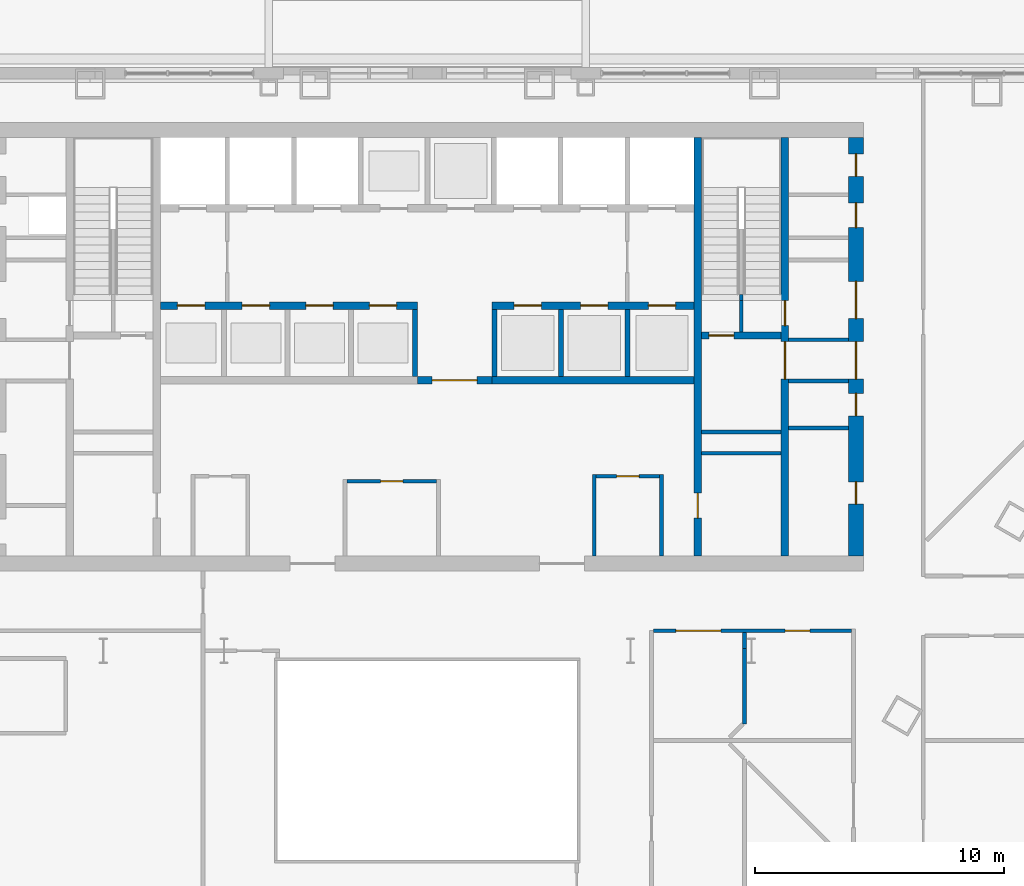
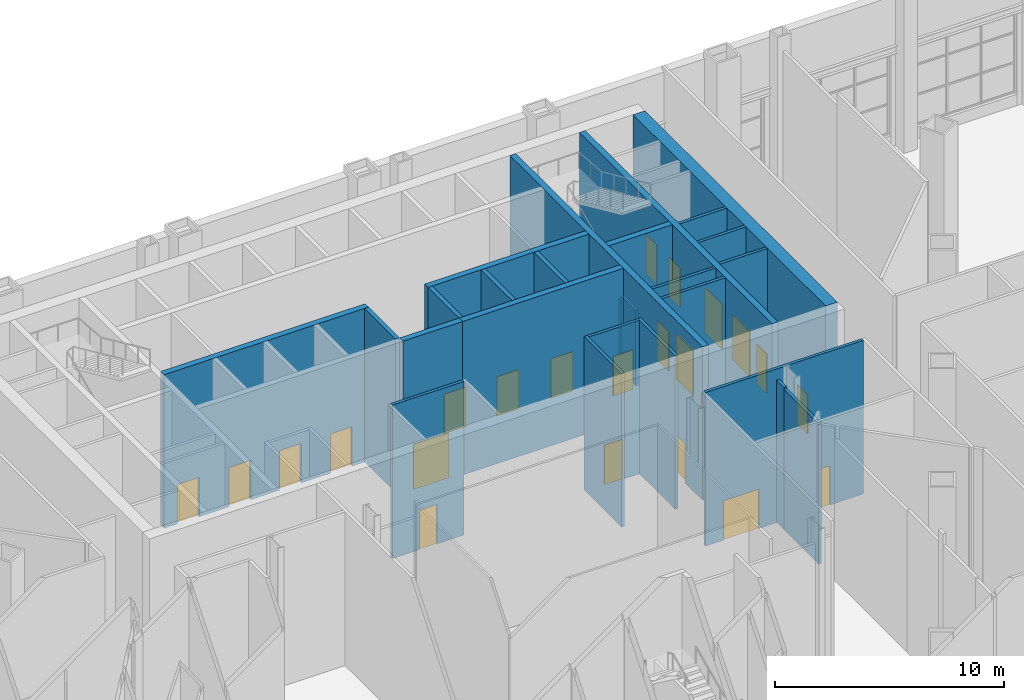
# One storey, part 21 of 34: 26 walls, 22 doors, 22 openings.
"""IFC4 building model written with IfcOpenShell, lengths in metres."""

from ifc_helpers import new_model, si_unit, direction, frame, frame_2d, origin, place, context, subcontext, project, spatial, rectangle, extrude, material, layer, layer_set, type_object, element, fill, save


model = new_model("IFC4")

# Units and contexts
model_context = context("Model", 3, precision=1e-05, world=origin(), true_north=direction((0.0, 1.0)))
body_context = subcontext(model_context, "Body", "Model", "MODEL_VIEW")
ifc_project = project(units=[si_unit("LENGTHUNIT", "METRE"), si_unit("AREAUNIT", "SQUARE_METRE"), si_unit("VOLUMEUNIT", "CUBIC_METRE"), si_unit("PLANEANGLEUNIT", "RADIAN"), si_unit("MASSUNIT", "GRAM", prefix="KILO")], contexts=[model_context])

# Site, building, storey
site_placement = place(None, origin())
site = spatial("IfcSite", under=ifc_project, at=site_placement, CompositionType="ELEMENT")
building_placement = place(site_placement, origin())
building = spatial("IfcBuilding", under=site, at=building_placement, Name="Njiva Tower", CompositionType="ELEMENT")
storey_placement = place(building_placement, origin())
storey = spatial("IfcBuildingStorey", under=building, at=storey_placement, Name="L00", CompositionType="ELEMENT", Elevation=0.0)

# Wall
ifc_material_1 = material(Name="Blockwork", Category="masonry")
ifc_layer_1 = layer(ifc_material_1, 0.15)
ifc_layer_set_1 = layer_set([ifc_layer_1], Name="Blockwork")
wall_type_1 = type_object("IfcWallType", Name="WT1 Compartment partition 150", PredefinedType="PARTITIONING", material=ifc_layer_set_1)
wall_1_placement = place(storey_placement, frame((11.0, 4.725, 0.0), z_axis=(0.0, 0.0, 1.0), x_axis=(1.0, 0.0, 0.0)))
element("IfcWall", 1, at=wall_1_placement, inside=storey, type_object=wall_type_1, Name="Room wall B", PredefinedType="PARTITIONING", context=body_context, shape_type="SweptSolid", body=[
    extrude(rectangle(XDim=3.2, YDim=0.15, at=frame_2d((1.6, 0.0))), origin(), (0.0, 0.0, 1.0), 8.18),
])

# Wall, opening, door
wall_2_placement = place(storey_placement, frame((-3.225, 3.6, 0.0), z_axis=(0.0, 0.0, 1.0), x_axis=(1.0, 0.0, 0.0)))
wall_2 = element("IfcWall", 2, at=wall_2_placement, inside=storey, type_object=wall_type_1, Name="Post room wall north", PredefinedType="PARTITIONING", context=body_context, shape_type="SweptSolid", body=[
    extrude(rectangle(XDim=3.6, YDim=0.15, at=frame_2d((1.8, 0.0))), origin(), (0.0, 0.0, 1.0), 8.18),
])
opening_1_placement = place(wall_2_placement, frame((1.35, 0.0, 0.0)))
opening_1 = element("IfcOpeningElement", 3, at=opening_1_placement, cuts=wall_2, Name="Opening L00-D939", PredefinedType="OPENING", context=body_context, shape_type="SweptSolid", body=[
    extrude(rectangle(XDim=0.9, YDim=2.1, at=frame_2d((0.45, 1.05))), frame((0.0, 0.085, 0.0), z_axis=(0.0, -1.0, 0.0), x_axis=(1.0, 0.0, 0.0)), (0.0, 0.0, 1.0), 0.17),
])
ifc_material_2 = material(Name="Steel fire door, painted", Category="steel")
door_type_1 = type_object("IfcDoorType", Name="D6 Fire-rated door 900x2100", OperationType="SINGLE_SWING_LEFT", PredefinedType="DOOR", material=ifc_material_2)
door_1_placement = place(opening_1_placement, origin())
door_1 = element("IfcDoor", 4, at=door_1_placement, inside=storey, type_object=door_type_1, Name="Post room door", OperationType="SINGLE_SWING_LEFT", OverallHeight=2.1, OverallWidth=0.9, PredefinedType="DOOR", context=body_context, shape_type="SweptSolid", body=[
    extrude(rectangle(XDim=0.9, YDim=2.1, at=frame_2d((0.45, 1.05))), frame((0.0, 0.025, 0.0), z_axis=(0.0, -1.0, 0.0), x_axis=(1.0, 0.0, 0.0)), (0.0, 0.0, 1.0), 0.05),
])
fill(opening_1, door_1)

# Walls
for number, where, z_axis, x_axis, name in (
    (5, (6.7, 0.6, 0.0), (0.0, 0.0, 1.0), (0.0, 1.0, 0.0), "Information office wall west"),
    (6, (9.4, 0.6, 0.0), (0.0, 0.0, 1.0), (0.0, 1.0, 0.0), "Information office wall east"),
):
    element("IfcWall", number, at=place(storey_placement, frame(where, z_axis=z_axis, x_axis=x_axis)), inside=storey, type_object=wall_type_1, Name=name, PredefinedType="PARTITIONING", context=body_context, shape_type="SweptSolid", body=[
        extrude(rectangle(XDim=3.275, YDim=0.15, at=frame_2d((1.6375, 0.0))), origin(), (0.0, 0.0, 1.0), 8.18),
    ])

# Wall, opening, door
wall_3_placement = place(storey_placement, frame((6.775, 3.8, 0.0), z_axis=(0.0, 0.0, 1.0), x_axis=(1.0, 0.0, 0.0)))
wall_3 = element("IfcWall", 7, at=wall_3_placement, inside=storey, type_object=wall_type_1, Name="Information office wall north", PredefinedType="PARTITIONING", context=body_context, shape_type="SweptSolid", body=[
    extrude(rectangle(XDim=2.55, YDim=0.15, at=frame_2d((1.275, 0.0))), origin(), (0.0, 0.0, 1.0), 8.18),
])
opening_2_placement = place(wall_3_placement, frame((0.825, 0.0, 0.0)))
opening_2 = element("IfcOpeningElement", 8, at=opening_2_placement, cuts=wall_3, Name="Opening L00-D940", PredefinedType="OPENING", context=body_context, shape_type="SweptSolid", body=[
    extrude(rectangle(XDim=0.9, YDim=2.1, at=frame_2d((0.45, 1.05))), frame((0.0, 0.085, 0.0), z_axis=(0.0, -1.0, 0.0), x_axis=(1.0, 0.0, 0.0)), (0.0, 0.0, 1.0), 0.17),
])
door_2_placement = place(opening_2_placement, origin())
door_2 = element("IfcDoor", 9, at=door_2_placement, inside=storey, type_object=door_type_1, Name="Information office door", OperationType="SINGLE_SWING_RIGHT", OverallHeight=2.1, OverallWidth=0.9, PredefinedType="DOOR", context=body_context, shape_type="SweptSolid", body=[
    extrude(rectangle(XDim=0.9, YDim=2.1, at=frame_2d((0.45, 1.05))), frame((0.0, 0.025, 0.0), z_axis=(0.0, -1.0, 0.0), x_axis=(1.0, 0.0, 0.0)), (0.0, 0.0, 1.0), 0.05),
])
fill(opening_2, door_2)

ifc_material_3 = material(Name="Concrete C40/50", Category="concrete")
ifc_layer_2 = layer(ifc_material_3, 0.3)
ifc_layer_set_2 = layer_set([ifc_layer_2], Name="Concrete C40/50")
wall_type_2 = type_object("IfcWallType", Name="WT10 Stair enclosure wall 300", PredefinedType="SHEAR", material=ifc_layer_set_2)
wall_4_placement = place(storey_placement, frame((10.85, 0.6, 0.0), z_axis=(0.0, 0.0, 1.0), x_axis=(0.0, 1.0, 0.0)))
wall_4 = element("IfcWall", 10, at=wall_4_placement, inside=storey, type_object=wall_type_2, Name="Stair wall east inner", PredefinedType="SHEAR", context=body_context, shape_type="SweptSolid", body=[
    extrude(rectangle(XDim=16.8, YDim=0.3, at=frame_2d((8.4, 0.0))), origin(), (0.0, 0.0, 1.0), 8.18),
])
opening_3_placement = place(wall_4_placement, frame((1.525, 0.0, 0.0)))
opening_3 = element("IfcOpeningElement", 11, at=opening_3_placement, cuts=wall_4, Name="Opening L00-D923", PredefinedType="OPENING", context=body_context, shape_type="SweptSolid", body=[
    extrude(rectangle(XDim=1.0, YDim=2.1, at=frame_2d((0.5, 1.05))), frame((0.0, 0.16, 0.0), z_axis=(0.0, -1.0, 0.0), x_axis=(1.0, 0.0, 0.0)), (0.0, 0.0, 1.0), 0.32),
])
ifc_material_4 = material(Name="Steel door, painted", Category="steel")
door_type_2 = type_object("IfcDoorType", Name="D5 Steel door 1000x2100", OperationType="SINGLE_SWING_LEFT", PredefinedType="DOOR", material=ifc_material_4)
door_3_placement = place(opening_3_placement, origin())
door_3 = element("IfcDoor", 12, at=door_3_placement, inside=storey, type_object=door_type_2, Name="Security control room door", OperationType="SINGLE_SWING_LEFT", OverallHeight=2.1, OverallWidth=1.0, PredefinedType="DOOR", context=body_context, shape_type="SweptSolid", body=[
    extrude(rectangle(XDim=1.0, YDim=2.1, at=frame_2d((0.5, 1.05))), frame((0.0, 0.025, 0.0), z_axis=(0.0, -1.0, 0.0), x_axis=(1.0, 0.0, 0.0)), (0.0, 0.0, 1.0), 0.05),
])
fill(opening_3, door_3)

# Wall, openings, doors
wall_5_placement = place(storey_placement, frame((14.35, 0.6, 0.0), z_axis=(0.0, 0.0, 1.0), x_axis=(0.0, 1.0, 0.0)))
wall_5 = element("IfcWall", 13, at=wall_5_placement, inside=storey, type_object=wall_type_2, Name="Stair wall east outer", PredefinedType="SHEAR", context=body_context, shape_type="SweptSolid", body=[
    extrude(rectangle(XDim=16.8, YDim=0.3, at=frame_2d((8.4, 0.0))), origin(), (0.0, 0.0, 1.0), 8.18),
])
opening_4_placement = place(wall_5_placement, frame((9.25, 0.0, 0.0)))
opening_4 = element("IfcOpeningElement", 14, at=opening_4_placement, cuts=wall_5, Name="Opening L00-D922", PredefinedType="OPENING", context=body_context, shape_type="SweptSolid", body=[
    extrude(rectangle(XDim=1.0, YDim=2.1, at=frame_2d((0.5, 1.05))), frame((0.0, 0.16, 0.0), z_axis=(0.0, -1.0, 0.0), x_axis=(1.0, 0.0, 0.0)), (0.0, 0.0, 1.0), 0.32),
])
opening_5_placement = place(wall_5_placement, frame((7.1, 0.0, 0.0)))
opening_5 = element("IfcOpeningElement", 15, at=opening_5_placement, cuts=wall_5, Name="Opening L00-D931", PredefinedType="OPENING", context=body_context, shape_type="SweptSolid", body=[
    extrude(rectangle(XDim=1.5, YDim=2.4, at=frame_2d((0.75, 1.2))), frame((0.0, 0.16, 0.0), z_axis=(0.0, -1.0, 0.0), x_axis=(1.0, 0.0, 0.0)), (0.0, 0.0, 1.0), 0.32),
])
ifc_material_5 = material(Name="Glazed steel fire door", Category="steel")
door_type_3 = type_object("IfcDoorType", Name="D16 Exit door double 1500x2400 glazed", OperationType="DOUBLE_DOOR_SINGLE_SWING", PredefinedType="DOOR", material=ifc_material_5)
door_4_placement = place(opening_5_placement, origin())
door_4 = element("IfcDoor", 16, at=door_4_placement, inside=storey, type_object=door_type_3, Name="Stair B passage door", OperationType="DOUBLE_DOOR_SINGLE_SWING", OverallHeight=2.4, OverallWidth=1.5, PredefinedType="DOOR", context=body_context, shape_type="SweptSolid", body=[
    extrude(rectangle(XDim=1.5, YDim=2.4, at=frame_2d((0.75, 1.2))), frame((0.0, 0.025, 0.0), z_axis=(0.0, -1.0, 0.0), x_axis=(1.0, 0.0, 0.0)), (0.0, 0.0, 1.0), 0.05),
])
fill(opening_5, door_4)
door_type_4 = type_object("IfcDoorType", Name="D9 Stair vestibule door 1000x2100 glazed", OperationType="SINGLE_SWING_LEFT", PredefinedType="DOOR", material=ifc_material_5)
door_5_placement = place(opening_4_placement, origin())
door_5 = element("IfcDoor", 17, at=door_5_placement, inside=storey, type_object=door_type_4, Name="Stair B door", OperationType="SINGLE_SWING_RIGHT", OverallHeight=2.1, OverallWidth=1.0, PredefinedType="DOOR", context=body_context, shape_type="SweptSolid", body=[
    extrude(rectangle(XDim=1.0, YDim=2.1, at=frame_2d((0.5, 1.05))), frame((0.0, 0.025, 0.0), z_axis=(0.0, -1.0, 0.0), x_axis=(1.0, 0.0, 0.0)), (0.0, 0.0, 1.0), 0.05),
])
fill(opening_4, door_5)

# Wall, opening, door
wall_6_placement = place(storey_placement, frame((11.0, 9.45, 0.0), z_axis=(0.0, 0.0, 1.0), x_axis=(1.0, 0.0, 0.0)))
wall_6 = element("IfcWall", 18, at=wall_6_placement, inside=storey, type_object=wall_type_2, Name="Stair B south wall", PredefinedType="SHEAR", context=body_context, shape_type="SweptSolid", body=[
    extrude(rectangle(XDim=3.2, YDim=0.3, at=frame_2d((1.6, 0.0))), origin(), (0.0, 0.0, 1.0), 8.18),
])
opening_6_placement = place(wall_6_placement, frame((0.3, 0.0, 0.0)))
opening_6 = element("IfcOpeningElement", 19, at=opening_6_placement, cuts=wall_6, Name="Opening L00-D921", PredefinedType="OPENING", context=body_context, shape_type="SweptSolid", body=[
    extrude(rectangle(XDim=1.0, YDim=2.1, at=frame_2d((0.5, 1.05))), frame((0.0, 0.16, 0.0), z_axis=(0.0, -1.0, 0.0), x_axis=(1.0, 0.0, 0.0)), (0.0, 0.0, 1.0), 0.32),
])
door_6_placement = place(opening_6_placement, origin())
door_6 = element("IfcDoor", 20, at=door_6_placement, inside=storey, type_object=door_type_4, Name="Stair B door", OperationType="SINGLE_SWING_RIGHT", OverallHeight=2.1, OverallWidth=1.0, PredefinedType="DOOR", context=body_context, shape_type="SweptSolid", body=[
    extrude(rectangle(XDim=1.0, YDim=2.1, at=frame_2d((0.5, 1.05))), frame((0.0, 0.025, 0.0), z_axis=(0.0, -1.0, 0.0), x_axis=(1.0, 0.0, 0.0)), (0.0, 0.0, 1.0), 0.05),
])
fill(opening_6, door_6)

# Wall, openings, doors
ifc_material_6 = material(Name="Concrete C60/75", Category="concrete")
ifc_layer_3 = layer(ifc_material_6, 0.6)
ifc_layer_set_3 = layer_set([ifc_layer_3], Name="Concrete C60/75")
wall_type_3 = type_object("IfcWallType", Name="WT15 Core wall 600", PredefinedType="SHEAR", material=ifc_layer_set_3)
wall_7_placement = place(storey_placement, frame((17.2, 0.6, 0.0), z_axis=(0.0, 0.0, 1.0), x_axis=(0.0, 1.0, 0.0)))
wall_7 = element("IfcWall", 21, at=wall_7_placement, inside=storey, type_object=wall_type_3, Name="Core wall east", PredefinedType="SHEAR", context=body_context, shape_type="SweptSolid", body=[
    extrude(rectangle(XDim=16.8, YDim=0.6, at=frame_2d((8.4, 0.0))), origin(), (0.0, 0.0, 1.0), 8.18),
])
opening_7_placement = place(wall_7_placement, frame((7.1, 0.0, 0.0)))
opening_7 = element("IfcOpeningElement", 22, at=opening_7_placement, cuts=wall_7, Name="Opening L00-D932", PredefinedType="OPENING", context=body_context, shape_type="SweptSolid", body=[
    extrude(rectangle(XDim=1.5, YDim=2.4, at=frame_2d((0.75, 1.2))), frame((0.0, 0.31, 0.0), z_axis=(0.0, -1.0, 0.0), x_axis=(1.0, 0.0, 0.0)), (0.0, 0.0, 1.0), 0.62),
])
opening_8_placement = place(wall_7_placement, frame((9.525, 0.0, 0.0)))
opening_8 = element("IfcOpeningElement", 23, at=opening_8_placement, cuts=wall_7, Name="Opening L00-D933", PredefinedType="OPENING", context=body_context, shape_type="SweptSolid", body=[
    extrude(rectangle(XDim=1.5, YDim=2.4, at=frame_2d((0.75, 1.2))), frame((0.0, 0.31, 0.0), z_axis=(0.0, -1.0, 0.0), x_axis=(1.0, 0.0, 0.0)), (0.0, 0.0, 1.0), 0.62),
])
opening_9_placement = place(wall_7_placement, frame((2.0799, 0.0, 0.0)))
opening_9 = element("IfcOpeningElement", 24, at=opening_9_placement, cuts=wall_7, Name="Opening L00-D934", PredefinedType="OPENING", context=body_context, shape_type="SweptSolid", body=[
    extrude(rectangle(XDim=0.9, YDim=2.1, at=frame_2d((0.45, 1.05))), frame((0.0, 0.31, 0.0), z_axis=(0.0, -1.0, 0.0), x_axis=(1.0, 0.0, 0.0)), (0.0, 0.0, 1.0), 0.62),
])
opening_10_placement = place(wall_7_placement, frame((5.6299, 0.0, 0.0)))
opening_10 = element("IfcOpeningElement", 25, at=opening_10_placement, cuts=wall_7, Name="Opening L00-D935", PredefinedType="OPENING", context=body_context, shape_type="SweptSolid", body=[
    extrude(rectangle(XDim=0.9, YDim=2.1, at=frame_2d((0.45, 1.05))), frame((0.0, 0.31, 0.0), z_axis=(0.0, -1.0, 0.0), x_axis=(1.0, 0.0, 0.0)), (0.0, 0.0, 1.0), 0.62),
])
opening_11_placement = place(wall_7_placement, frame((13.175, 0.0, 0.0)))
opening_11 = element("IfcOpeningElement", 26, at=opening_11_placement, cuts=wall_7, Name="Opening L00-D936", PredefinedType="OPENING", context=body_context, shape_type="SweptSolid", body=[
    extrude(rectangle(XDim=1.0, YDim=2.1, at=frame_2d((0.5, 1.05))), frame((0.0, 0.31, 0.0), z_axis=(0.0, -1.0, 0.0), x_axis=(1.0, 0.0, 0.0)), (0.0, 0.0, 1.0), 0.62),
])
opening_12_placement = place(wall_7_placement, frame((15.2375, 0.0, 0.0)))
opening_12 = element("IfcOpeningElement", 27, at=opening_12_placement, cuts=wall_7, Name="Opening L00-D937", PredefinedType="OPENING", context=body_context, shape_type="SweptSolid", body=[
    extrude(rectangle(XDim=0.9, YDim=2.1, at=frame_2d((0.45, 1.05))), frame((0.0, 0.31, 0.0), z_axis=(0.0, -1.0, 0.0), x_axis=(1.0, 0.0, 0.0)), (0.0, 0.0, 1.0), 0.62),
])
door_7_placement = place(opening_7_placement, origin())
door_7 = element("IfcDoor", 28, at=door_7_placement, inside=storey, type_object=door_type_3, Name="Stair B corridor door", OperationType="DOUBLE_DOOR_SINGLE_SWING", OverallHeight=2.4, OverallWidth=1.5, PredefinedType="DOOR", context=body_context, shape_type="SweptSolid", body=[
    extrude(rectangle(XDim=1.5, YDim=2.4, at=frame_2d((0.75, 1.2))), frame((0.0, 0.025, 0.0), z_axis=(0.0, -1.0, 0.0), x_axis=(1.0, 0.0, 0.0)), (0.0, 0.0, 1.0), 0.05),
])
fill(opening_7, door_7)
door_8_placement = place(opening_8_placement, origin())
door_8 = element("IfcDoor", 29, at=door_8_placement, inside=storey, type_object=door_type_3, Name="Stair B corridor door", OperationType="DOUBLE_DOOR_SINGLE_SWING", OverallHeight=2.4, OverallWidth=1.5, PredefinedType="DOOR", context=body_context, shape_type="SweptSolid", body=[
    extrude(rectangle(XDim=1.5, YDim=2.4, at=frame_2d((0.75, 1.2))), frame((0.0, 0.025, 0.0), z_axis=(0.0, -1.0, 0.0), x_axis=(1.0, 0.0, 0.0)), (0.0, 0.0, 1.0), 0.05),
])
fill(opening_8, door_8)
door_type_5 = type_object("IfcDoorType", Name="D4 Riser door 900x2100", OperationType="SINGLE_SWING_LEFT", PredefinedType="DOOR", material=ifc_material_4)
door_9_placement = place(opening_10_placement, origin())
door_9 = element("IfcDoor", 30, at=door_9_placement, inside=storey, type_object=door_type_5, Name="Riser door", OperationType="SINGLE_SWING_LEFT", OverallHeight=2.1, OverallWidth=0.9, PredefinedType="DOOR", context=body_context, shape_type="SweptSolid", body=[
    extrude(rectangle(XDim=0.9, YDim=2.1, at=frame_2d((0.45, 1.05))), frame((0.0, 0.025, 0.0), z_axis=(0.0, -1.0, 0.0), x_axis=(1.0, 0.0, 0.0)), (0.0, 0.0, 1.0), 0.05),
])
fill(opening_10, door_9)
door_10_placement = place(opening_11_placement, origin())
door_10 = element("IfcDoor", 31, at=door_10_placement, inside=storey, type_object=door_type_2, Name="Telecoms room door", OperationType="SINGLE_SWING_LEFT", OverallHeight=2.1, OverallWidth=1.0, PredefinedType="DOOR", context=body_context, shape_type="SweptSolid", body=[
    extrude(rectangle(XDim=1.0, YDim=2.1, at=frame_2d((0.5, 1.05))), frame((0.0, 0.025, 0.0), z_axis=(0.0, -1.0, 0.0), x_axis=(1.0, 0.0, 0.0)), (0.0, 0.0, 1.0), 0.05),
])
fill(opening_11, door_10)
door_11_placement = place(opening_9_placement, origin())
door_11 = element("IfcDoor", 32, at=door_11_placement, inside=storey, type_object=door_type_1, Name="Reading room door", OperationType="SINGLE_SWING_RIGHT", OverallHeight=2.1, OverallWidth=0.9, PredefinedType="DOOR", context=body_context, shape_type="SweptSolid", body=[
    extrude(rectangle(XDim=0.9, YDim=2.1, at=frame_2d((0.45, 1.05))), frame((0.0, 0.025, 0.0), z_axis=(0.0, -1.0, 0.0), x_axis=(1.0, 0.0, 0.0)), (0.0, 0.0, 1.0), 0.05),
])
fill(opening_9, door_11)
door_12_placement = place(opening_12_placement, origin())
door_12 = element("IfcDoor", 33, at=door_12_placement, inside=storey, type_object=door_type_1, Name="Cable store door", OperationType="SINGLE_SWING_LEFT", OverallHeight=2.1, OverallWidth=0.9, PredefinedType="DOOR", context=body_context, shape_type="SweptSolid", body=[
    extrude(rectangle(XDim=0.9, YDim=2.1, at=frame_2d((0.45, 1.05))), frame((0.0, 0.025, 0.0), z_axis=(0.0, -1.0, 0.0), x_axis=(1.0, 0.0, 0.0)), (0.0, 0.0, 1.0), 0.05),
])
fill(opening_12, door_12)

ifc_material_7 = material(Name="Gypsum board on steel studs", Category="gypsum")
ifc_layer_4 = layer(ifc_material_7, 0.15)
ifc_layer_set_4 = layer_set([ifc_layer_4], Name="Gypsum board on steel studs")
wall_type_4 = type_object("IfcWallType", Name="WT21 Compartment wall 150", PredefinedType="PARTITIONING", material=ifc_layer_set_4)
wall_8_placement = place(storey_placement, frame((9.075, -2.4, 0.0), z_axis=(0.0, 0.0, 1.0), x_axis=(1.0, 0.0, 0.0)))
wall_8 = element("IfcWall", 34, at=wall_8_placement, inside=storey, type_object=wall_type_4, Name="Partition L00-P055", PredefinedType="PARTITIONING", context=body_context, shape_type="SweptSolid", body=[
    extrude(rectangle(XDim=7.95, YDim=0.15, at=frame_2d((3.975, 0.0))), origin(), (0.0, 0.0, 1.0), 8.18),
])
opening_13_placement = place(wall_8_placement, frame((0.904, 0.0, 0.0)))
opening_13 = element("IfcOpeningElement", 35, at=opening_13_placement, cuts=wall_8, Name="Opening L00-D020", PredefinedType="OPENING", context=body_context, shape_type="SweptSolid", body=[
    extrude(rectangle(XDim=1.8, YDim=2.1, at=frame_2d((0.9, 1.05))), frame((0.0, 0.085, 0.0), z_axis=(0.0, -1.0, 0.0), x_axis=(1.0, 0.0, 0.0)), (0.0, 0.0, 1.0), 0.17),
])
opening_14_placement = place(wall_8_placement, frame((5.279, 0.0, 0.0)))
opening_14 = element("IfcOpeningElement", 36, at=opening_14_placement, cuts=wall_8, Name="Opening L00-D021", PredefinedType="OPENING", context=body_context, shape_type="SweptSolid", body=[
    extrude(rectangle(XDim=1.0, YDim=2.1, at=frame_2d((0.5, 1.05))), frame((0.0, 0.085, 0.0), z_axis=(0.0, -1.0, 0.0), x_axis=(1.0, 0.0, 0.0)), (0.0, 0.0, 1.0), 0.17),
])
ifc_material_8 = material(Name="Steel fire door set", Category="steel")
door_type_6 = type_object("IfcDoorType", Name="D37 Fire door 1000x2100", OperationType="SINGLE_SWING_LEFT", PredefinedType="DOOR", material=ifc_material_8)
door_13_placement = place(opening_14_placement, origin())
door_13 = element("IfcDoor", 37, at=door_13_placement, inside=storey, type_object=door_type_6, Name="Door L00-D021", OperationType="SINGLE_SWING_RIGHT", OverallHeight=2.1, OverallWidth=1.0, PredefinedType="DOOR", context=body_context, shape_type="SweptSolid", body=[
    extrude(rectangle(XDim=1.0, YDim=2.1, at=frame_2d((0.5, 1.05))), frame((0.0, 0.025, 0.0), z_axis=(0.0, -1.0, 0.0), x_axis=(1.0, 0.0, 0.0)), (0.0, 0.0, 1.0), 0.05),
])
fill(opening_14, door_13)
door_type_7 = type_object("IfcDoorType", Name="D38 Fire door 1800x2100", OperationType="DOUBLE_DOOR_SINGLE_SWING", PredefinedType="DOOR", material=ifc_material_8)
door_14_placement = place(opening_13_placement, origin())
door_14 = element("IfcDoor", 38, at=door_14_placement, inside=storey, type_object=door_type_7, Name="Door L00-D020", OperationType="DOUBLE_DOOR_SINGLE_SWING", OverallHeight=2.1, OverallWidth=1.8, PredefinedType="DOOR", context=body_context, shape_type="SweptSolid", body=[
    extrude(rectangle(XDim=1.8, YDim=2.1, at=frame_2d((0.9, 1.05))), frame((0.0, 0.025, 0.0), z_axis=(0.0, -1.0, 0.0), x_axis=(1.0, 0.0, 0.0)), (0.0, 0.0, 1.0), 0.05),
])
fill(opening_13, door_14)

# Walls
wall_9_placement = place(storey_placement, frame((12.733, -6.142, 0.0), z_axis=(0.0, 0.0, 1.0), x_axis=(0.0, 1.0, 0.0)))
element("IfcWall", 39, at=wall_9_placement, inside=storey, type_object=wall_type_4, Name="Partition L00-P059", PredefinedType="PARTITIONING", context=body_context, shape_type="SweptSolid", body=[
    extrude(rectangle(XDim=3.042, YDim=0.15, at=frame_2d((1.521, 0.0))), origin(), (0.0, 0.0, 1.0), 7.49),
])
wall_10_placement = place(storey_placement, frame((12.733, -3.1, 0.0), z_axis=(0.0, 0.0, 1.0), x_axis=(0.0, 1.0, 0.0)))
element("IfcWall", 40, at=wall_10_placement, inside=storey, type_object=wall_type_4, Name="Partition L00-P059A", PredefinedType="PARTITIONING", context=body_context, shape_type="SweptSolid", body=[
    extrude(rectangle(XDim=0.625, YDim=0.15, at=frame_2d((0.3125, 0.0))), origin(), (0.0, 0.0, 1.0), 7.58),
])
ifc_layer_5 = layer(ifc_material_1, 0.15)
ifc_layer_set_5 = layer_set([ifc_layer_5], Name="Blockwork")
wall_type_5 = type_object("IfcWallType", Name="WT3 Riser partition 150", PredefinedType="PARTITIONING", material=ifc_layer_set_5)
wall_11_placement = place(storey_placement, frame((14.5, 5.7348, 0.0), z_axis=(0.0, 0.0, 1.0), x_axis=(1.0, 0.0, 0.0)))
element("IfcWall", 41, at=wall_11_placement, inside=storey, type_object=wall_type_5, Name="Partition strip E00", PredefinedType="PARTITIONING", context=body_context, shape_type="SweptSolid", body=[
    extrude(rectangle(XDim=2.4, YDim=0.15, at=frame_2d((1.2, 0.0))), origin(), (0.0, 0.0, 1.0), 8.18),
])
ifc_layer_6 = layer(ifc_material_1, 0.15)
ifc_layer_set_6 = layer_set([ifc_layer_6], Name="Blockwork")
wall_type_6 = type_object("IfcWallType", Name="WT4 Stair partition 150", PredefinedType="PARTITIONING", material=ifc_layer_set_6)
wall_12_placement = place(storey_placement, frame((12.6, 9.6, 0.0), z_axis=(0.0, 0.0, 1.0), x_axis=(0.0, 1.0, 0.0)))
element("IfcWall", 42, at=wall_12_placement, inside=storey, type_object=wall_type_6, Name="Stair B dividing wall", PredefinedType="PARTITIONING", context=body_context, shape_type="SweptSolid", body=[
    extrude(rectangle(XDim=1.26, YDim=0.15, at=frame_2d((0.63, 0.0))), origin(), (0.0, 0.0, 1.0), 4.0),
])
wall_13_placement = place(storey_placement, frame((12.6, 10.86, 0.0), z_axis=(0.0, 0.0, 1.0), x_axis=(0.0, 1.0, 0.0)))
element("IfcWall", 43, at=wall_13_placement, inside=storey, type_object=wall_type_6, Name="Stair B dividing wall", PredefinedType="PARTITIONING", context=body_context, shape_type="SweptSolid", body=[
    extrude(rectangle(XDim=0.24, YDim=0.15, at=frame_2d((0.12, 0.0))), origin(), (0.0, 0.0, 1.0), 3.77),
])
wall_14_placement = place(storey_placement, frame((11.0, 5.575, 0.0), z_axis=(0.0, 0.0, 1.0), x_axis=(1.0, 0.0, 0.0)))
element("IfcWall", 44, at=wall_14_placement, inside=storey, type_object=wall_type_6, Name="Stair B upper pressurisation shaft wall", PredefinedType="PARTITIONING", context=body_context, shape_type="SweptSolid", body=[
    extrude(rectangle(XDim=3.2, YDim=0.15, at=frame_2d((1.6, 0.0))), origin(), (0.0, 0.0, 1.0), 8.18),
])
for number, where, z_axis, x_axis, name in (
    (45, (14.5, 7.625, 0.0), (0.0, 0.0, 1.0), (1.0, 0.0, 0.0), "Stair B exit passage wall south"),
    (46, (14.5, 9.275, 0.0), (0.0, 0.0, 1.0), (1.0, 0.0, 0.0), "Stair B basement vestibule wall south"),
):
    element("IfcWall", number, at=place(storey_placement, frame(where, z_axis=z_axis, x_axis=x_axis)), inside=storey, type_object=wall_type_6, Name=name, PredefinedType="PARTITIONING", context=body_context, shape_type="SweptSolid", body=[
        extrude(rectangle(XDim=2.4, YDim=0.15, at=frame_2d((1.2, 0.0))), origin(), (0.0, 0.0, 1.0), 8.18),
    ])

# Wall, opening, door
ifc_layer_7 = layer(ifc_material_1, 0.3)
ifc_layer_set_7 = layer_set([ifc_layer_7], Name="Blockwork")
wall_type_7 = type_object("IfcWallType", Name="WT5 Lobby partition 300", PredefinedType="PARTITIONING", material=ifc_layer_set_7)
wall_15_placement = place(storey_placement, frame((-0.4, 7.65, 0.0), z_axis=(0.0, 0.0, 1.0), x_axis=(1.0, 0.0, 0.0)))
wall_15 = element("IfcWall", 47, at=wall_15_placement, inside=storey, type_object=wall_type_7, Name="Lift lobby screen wall", PredefinedType="PARTITIONING", context=body_context, shape_type="SweptSolid", body=[
    extrude(rectangle(XDim=3.0, YDim=0.3, at=frame_2d((1.5, 0.0))), origin(), (0.0, 0.0, 1.0), 8.18),
])
opening_15_placement = place(wall_15_placement, frame((0.6, 0.0, 0.0)))
opening_15 = element("IfcOpeningElement", 48, at=opening_15_placement, cuts=wall_15, Name="Opening L00-D941", PredefinedType="OPENING", context=body_context, shape_type="SweptSolid", body=[
    extrude(rectangle(XDim=1.8, YDim=2.4, at=frame_2d((0.9, 1.2))), frame((0.0, 0.16, 0.0), z_axis=(0.0, -1.0, 0.0), x_axis=(1.0, 0.0, 0.0)), (0.0, 0.0, 1.0), 0.32),
])
ifc_material_9 = material(Name="Steel and glass door", Category="steel")
door_type_8 = type_object("IfcDoorType", Name="D3 Core entrance door 1800x2400", OperationType="DOUBLE_DOOR_SINGLE_SWING", PredefinedType="DOOR", material=ifc_material_9)
door_15_placement = place(opening_15_placement, origin())
door_15 = element("IfcDoor", 49, at=door_15_placement, inside=storey, type_object=door_type_8, Name="Core entrance door", OperationType="DOUBLE_DOOR_SINGLE_SWING", OverallHeight=2.4, OverallWidth=1.8, PredefinedType="DOOR", context=body_context, shape_type="SweptSolid", body=[
    extrude(rectangle(XDim=1.8, YDim=2.4, at=frame_2d((0.9, 1.2))), frame((0.0, 0.025, 0.0), z_axis=(0.0, -1.0, 0.0), x_axis=(1.0, 0.0, 0.0)), (0.0, 0.0, 1.0), 0.05),
])
fill(opening_15, door_15)

# Walls
ifc_layer_8 = layer(ifc_material_3, 0.2)
ifc_layer_set_8 = layer_set([ifc_layer_8], Name="Concrete C40/50")
wall_type_8 = type_object("IfcWallType", Name="WT6 Lift shaft wall 200", PredefinedType="SHEAR", material=ifc_layer_set_8)
for number, where, z_axis, x_axis, name in (
    (50, (-0.5, 7.8, 0.0), (0.0, 0.0, 1.0), (0.0, 1.0, 0.0), "Shaft wall CS4"),
    (51, (2.7, 7.8, 0.0), (0.0, 0.0, 1.0), (0.0, 1.0, 0.0), "Shaft wall CS5"),
    (52, (5.3667, 7.8, 0.0), (0.0, 0.0, 1.0), (0.0, 1.0, 0.0), "Shaft wall CS6"),
    (53, (8.0333, 7.8, 0.0), (0.0, 0.0, 1.0), (0.0, 1.0, 0.0), "Shaft wall CS7"),
):
    element("IfcWall", number, at=place(storey_placement, frame(where, z_axis=z_axis, x_axis=x_axis)), inside=storey, type_object=wall_type_8, Name=name, PredefinedType="SHEAR", context=body_context, shape_type="SweptSolid", body=[
        extrude(rectangle(XDim=2.7, YDim=0.2, at=frame_2d((1.35, 0.0))), origin(), (0.0, 0.0, 1.0), 8.18),
    ])

# Wall, openings, doors
ifc_layer_9 = layer(ifc_material_3, 0.3)
ifc_layer_set_9 = layer_set([ifc_layer_9], Name="Concrete C40/50")
wall_type_9 = type_object("IfcWallType", Name="WT7 Lift shaft wall 300", PredefinedType="SHEAR", material=ifc_layer_set_9)
wall_16_placement = place(storey_placement, frame((-10.7, 10.65, 0.0), z_axis=(0.0, 0.0, 1.0), x_axis=(1.0, 0.0, 0.0)))
wall_16 = element("IfcWall", 54, at=wall_16_placement, inside=storey, type_object=wall_type_9, Name="Shaft wall south row lobby side W", PredefinedType="SHEAR", context=body_context, shape_type="SweptSolid", body=[
    extrude(rectangle(XDim=10.3, YDim=0.3, at=frame_2d((5.15, 0.0))), origin(), (0.0, 0.0, 1.0), 8.18),
])
opening_16_placement = place(wall_16_placement, frame((0.675, 0.0, 0.0)))
opening_16 = element("IfcOpeningElement", 55, at=opening_16_placement, cuts=wall_16, Name="Opening L00-D909", PredefinedType="OPENING", context=body_context, shape_type="SweptSolid", body=[
    extrude(rectangle(XDim=1.1, YDim=2.1, at=frame_2d((0.55, 1.05))), frame((0.0, 0.16, 0.0), z_axis=(0.0, -1.0, 0.0), x_axis=(1.0, 0.0, 0.0)), (0.0, 0.0, 1.0), 0.32),
])
opening_17_placement = place(wall_16_placement, frame((3.275, 0.0, 0.0)))
opening_17 = element("IfcOpeningElement", 56, at=opening_17_placement, cuts=wall_16, Name="Opening L00-D910", PredefinedType="OPENING", context=body_context, shape_type="SweptSolid", body=[
    extrude(rectangle(XDim=1.1, YDim=2.1, at=frame_2d((0.55, 1.05))), frame((0.0, 0.16, 0.0), z_axis=(0.0, -1.0, 0.0), x_axis=(1.0, 0.0, 0.0)), (0.0, 0.0, 1.0), 0.32),
])
opening_18_placement = place(wall_16_placement, frame((5.825, 0.0, 0.0)))
opening_18 = element("IfcOpeningElement", 57, at=opening_18_placement, cuts=wall_16, Name="Opening L00-D911", PredefinedType="OPENING", context=body_context, shape_type="SweptSolid", body=[
    extrude(rectangle(XDim=1.1, YDim=2.1, at=frame_2d((0.55, 1.05))), frame((0.0, 0.16, 0.0), z_axis=(0.0, -1.0, 0.0), x_axis=(1.0, 0.0, 0.0)), (0.0, 0.0, 1.0), 0.32),
])
opening_19_placement = place(wall_16_placement, frame((8.375, 0.0, 0.0)))
opening_19 = element("IfcOpeningElement", 58, at=opening_19_placement, cuts=wall_16, Name="Opening L00-D912", PredefinedType="OPENING", context=body_context, shape_type="SweptSolid", body=[
    extrude(rectangle(XDim=1.1, YDim=2.1, at=frame_2d((0.55, 1.05))), frame((0.0, 0.16, 0.0), z_axis=(0.0, -1.0, 0.0), x_axis=(1.0, 0.0, 0.0)), (0.0, 0.0, 1.0), 0.32),
])
ifc_material_10 = material(Name="Stainless steel sliding door", Category="steel")
door_type_9 = type_object("IfcDoorType", Name="LD Lift landing door 1100x2100", OperationType="SLIDING_TO_LEFT", PredefinedType="DOOR", material=ifc_material_10)
door_16_placement = place(opening_16_placement, origin())
door_16 = element("IfcDoor", 59, at=door_16_placement, inside=storey, type_object=door_type_9, Name="Lift landing door LB4", OperationType="SLIDING_TO_LEFT", OverallHeight=2.1, OverallWidth=1.1, PredefinedType="DOOR", context=body_context, shape_type="SweptSolid", body=[
    extrude(rectangle(XDim=1.1, YDim=2.1, at=frame_2d((0.55, 1.05))), frame((0.0, 0.025, 0.0), z_axis=(0.0, -1.0, 0.0), x_axis=(1.0, 0.0, 0.0)), (0.0, 0.0, 1.0), 0.05),
])
fill(opening_16, door_16)
door_17_placement = place(opening_17_placement, origin())
door_17 = element("IfcDoor", 60, at=door_17_placement, inside=storey, type_object=door_type_9, Name="Lift landing door LB5", OperationType="SLIDING_TO_LEFT", OverallHeight=2.1, OverallWidth=1.1, PredefinedType="DOOR", context=body_context, shape_type="SweptSolid", body=[
    extrude(rectangle(XDim=1.1, YDim=2.1, at=frame_2d((0.55, 1.05))), frame((0.0, 0.025, 0.0), z_axis=(0.0, -1.0, 0.0), x_axis=(1.0, 0.0, 0.0)), (0.0, 0.0, 1.0), 0.05),
])
fill(opening_17, door_17)
door_18_placement = place(opening_18_placement, origin())
door_18 = element("IfcDoor", 61, at=door_18_placement, inside=storey, type_object=door_type_9, Name="Lift landing door LB6", OperationType="SLIDING_TO_LEFT", OverallHeight=2.1, OverallWidth=1.1, PredefinedType="DOOR", context=body_context, shape_type="SweptSolid", body=[
    extrude(rectangle(XDim=1.1, YDim=2.1, at=frame_2d((0.55, 1.05))), frame((0.0, 0.025, 0.0), z_axis=(0.0, -1.0, 0.0), x_axis=(1.0, 0.0, 0.0)), (0.0, 0.0, 1.0), 0.05),
])
fill(opening_18, door_18)
door_19_placement = place(opening_19_placement, origin())
door_19 = element("IfcDoor", 62, at=door_19_placement, inside=storey, type_object=door_type_9, Name="Lift landing door LB7", OperationType="SLIDING_TO_LEFT", OverallHeight=2.1, OverallWidth=1.1, PredefinedType="DOOR", context=body_context, shape_type="SweptSolid", body=[
    extrude(rectangle(XDim=1.1, YDim=2.1, at=frame_2d((0.55, 1.05))), frame((0.0, 0.025, 0.0), z_axis=(0.0, -1.0, 0.0), x_axis=(1.0, 0.0, 0.0)), (0.0, 0.0, 1.0), 0.05),
])
fill(opening_19, door_19)

wall_17_placement = place(storey_placement, frame((2.6, 10.65, 0.0), z_axis=(0.0, 0.0, 1.0), x_axis=(1.0, 0.0, 0.0)))
wall_17 = element("IfcWall", 63, at=wall_17_placement, inside=storey, type_object=wall_type_9, Name="Shaft wall south row lobby side E", PredefinedType="SHEAR", context=body_context, shape_type="SweptSolid", body=[
    extrude(rectangle(XDim=8.1, YDim=0.3, at=frame_2d((4.05, 0.0))), origin(), (0.0, 0.0, 1.0), 8.18),
])
opening_20_placement = place(wall_17_placement, frame((0.8834, 0.0, 0.0)))
opening_20 = element("IfcOpeningElement", 64, at=opening_20_placement, cuts=wall_17, Name="Opening L00-D913", PredefinedType="OPENING", context=body_context, shape_type="SweptSolid", body=[
    extrude(rectangle(XDim=1.1, YDim=2.1, at=frame_2d((0.55, 1.05))), frame((0.0, 0.16, 0.0), z_axis=(0.0, -1.0, 0.0), x_axis=(1.0, 0.0, 0.0)), (0.0, 0.0, 1.0), 0.32),
])
opening_21_placement = place(wall_17_placement, frame((3.55, 0.0, 0.0)))
opening_21 = element("IfcOpeningElement", 65, at=opening_21_placement, cuts=wall_17, Name="Opening L00-D914", PredefinedType="OPENING", context=body_context, shape_type="SweptSolid", body=[
    extrude(rectangle(XDim=1.1, YDim=2.1, at=frame_2d((0.55, 1.05))), frame((0.0, 0.16, 0.0), z_axis=(0.0, -1.0, 0.0), x_axis=(1.0, 0.0, 0.0)), (0.0, 0.0, 1.0), 0.32),
])
opening_22_placement = place(wall_17_placement, frame((6.2667, 0.0, 0.0)))
opening_22 = element("IfcOpeningElement", 66, at=opening_22_placement, cuts=wall_17, Name="Opening L00-D915", PredefinedType="OPENING", context=body_context, shape_type="SweptSolid", body=[
    extrude(rectangle(XDim=1.1, YDim=2.1, at=frame_2d((0.55, 1.05))), frame((0.0, 0.16, 0.0), z_axis=(0.0, -1.0, 0.0), x_axis=(1.0, 0.0, 0.0)), (0.0, 0.0, 1.0), 0.32),
])
door_20_placement = place(opening_20_placement, origin())
door_20 = element("IfcDoor", 67, at=door_20_placement, inside=storey, type_object=door_type_9, Name="Lift landing door SA1", OperationType="SLIDING_TO_LEFT", OverallHeight=2.1, OverallWidth=1.1, PredefinedType="DOOR", context=body_context, shape_type="SweptSolid", body=[
    extrude(rectangle(XDim=1.1, YDim=2.1, at=frame_2d((0.55, 1.05))), frame((0.0, 0.025, 0.0), z_axis=(0.0, -1.0, 0.0), x_axis=(1.0, 0.0, 0.0)), (0.0, 0.0, 1.0), 0.05),
])
fill(opening_20, door_20)
door_21_placement = place(opening_21_placement, origin())
door_21 = element("IfcDoor", 68, at=door_21_placement, inside=storey, type_object=door_type_9, Name="Lift landing door SB1", OperationType="SLIDING_TO_LEFT", OverallHeight=2.1, OverallWidth=1.1, PredefinedType="DOOR", context=body_context, shape_type="SweptSolid", body=[
    extrude(rectangle(XDim=1.1, YDim=2.1, at=frame_2d((0.55, 1.05))), frame((0.0, 0.025, 0.0), z_axis=(0.0, -1.0, 0.0), x_axis=(1.0, 0.0, 0.0)), (0.0, 0.0, 1.0), 0.05),
])
fill(opening_21, door_21)
door_22_placement = place(opening_22_placement, origin())
door_22 = element("IfcDoor", 69, at=door_22_placement, inside=storey, type_object=door_type_9, Name="Lift landing door SB2", OperationType="SLIDING_TO_LEFT", OverallHeight=2.1, OverallWidth=1.1, PredefinedType="DOOR", context=body_context, shape_type="SweptSolid", body=[
    extrude(rectangle(XDim=1.1, YDim=2.1, at=frame_2d((0.55, 1.05))), frame((0.0, 0.025, 0.0), z_axis=(0.0, -1.0, 0.0), x_axis=(1.0, 0.0, 0.0)), (0.0, 0.0, 1.0), 0.05),
])
fill(opening_22, door_22)

# Wall
wall_18_placement = place(storey_placement, frame((2.6, 7.65, 0.0), z_axis=(0.0, 0.0, 1.0), x_axis=(1.0, 0.0, 0.0)))
element("IfcWall", 70, at=wall_18_placement, inside=storey, type_object=wall_type_9, Name="Shaft wall south row back E", PredefinedType="SHEAR", context=body_context, shape_type="SweptSolid", body=[
    extrude(rectangle(XDim=8.1, YDim=0.3, at=frame_2d((4.05, 0.0))), origin(), (0.0, 0.0, 1.0), 8.18),
])

save(model, "model.ifc")
